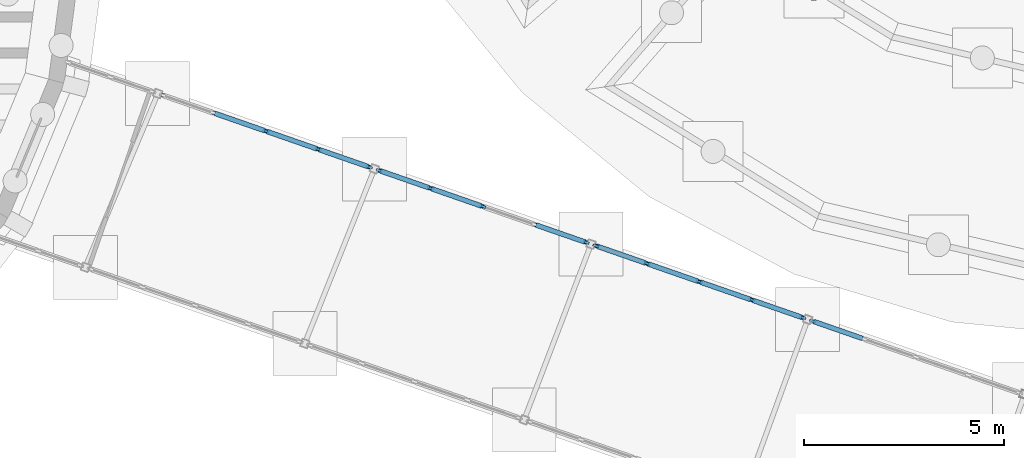
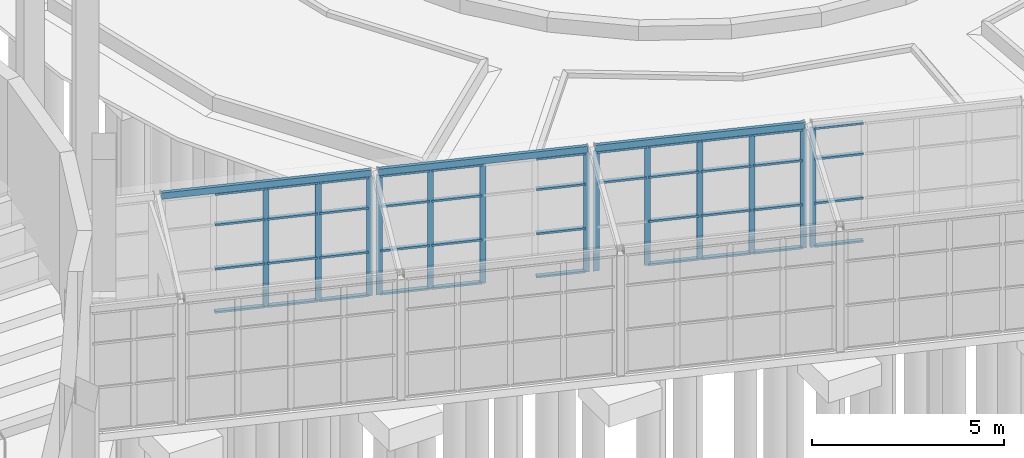
# One storey, part 48 of 226: 55 members, 3 beams, 4 elements without a shape of their own.
"""IFC4 building model written with IfcOpenShell, lengths in metres."""

from ifc_helpers import new_model, si_unit, direction, frame, origin, origin_2d, place, context, subcontext, project, spatial, rectangle, hollow_rectangle, extrude, material, material_profile, profile_set, type_object, element, aggregate, save


model = new_model("IFC4")

# Units and contexts
model_context = context("Model", 3, precision=1e-05, world=origin(), true_north=direction((0.0, 1.0)))
body_context = subcontext(model_context, "Body", "Model", "MODEL_VIEW")
ifc_project = project(units=[si_unit("LENGTHUNIT", "METRE"), si_unit("AREAUNIT", "SQUARE_METRE"), si_unit("VOLUMEUNIT", "CUBIC_METRE"), si_unit("PLANEANGLEUNIT", "RADIAN"), si_unit("MASSUNIT", "GRAM", prefix="KILO")], contexts=[model_context])

# Site, building, storey
site_placement = place(None, origin())
site = spatial("IfcSite", under=ifc_project, at=site_placement, CompositionType="ELEMENT")
building_placement = place(site_placement, origin())
building = spatial("IfcBuilding", under=site, at=building_placement, Name="Ceibo Conservatory and Research Tower", CompositionType="ELEMENT")
storey_placement = place(building_placement, origin())
storey = spatial("IfcBuildingStorey", under=building, at=storey_placement, Name="L00", CompositionType="ELEMENT", Elevation=0.0)

# Curtain wall, members
ifc_material_1 = material(Name="Aluminium and glass", Category="aluminium")
curtain_wall_type = type_object("IfcCurtainWallType", Name="Gallery curtain wall", PredefinedType="NOTDEFINED", material=ifc_material_1)
curtain_wall_1_placement = place(storey_placement, origin())
curtain_wall_1 = element("IfcCurtainWall", 1, at=curtain_wall_1_placement, inside=storey, type_object=curtain_wall_type, Name="Gallery curtain wall AUD-VC-CWN02", PredefinedType="NOTDEFINED")
ifc_material_2 = material(Name="Aluminium", Category="aluminium")
ifc_material_profile_1 = material_profile(ifc_material_2, rectangle(XDim=0.06005859375, YDim=0.159912109375, at=origin_2d()), Name="AL 60x160")
ifc_profile_set_1 = profile_set([ifc_material_profile_1], Name="Aluminium")
member_type_1 = type_object("IfcMemberType", Name="Gallery mullion 60x160", PredefinedType="MULLION", material=ifc_profile_set_1)
member_1_placement = place(storey_placement, frame((74.75048828125, 67.178955078125, 0.0), z_axis=(0.0, 0.0, 1.0), x_axis=(0.328283515513, 0.944579236191, 0.0)))
member_1 = element("IfcMember", 2, at=member_1_placement, type_object=member_type_1, Name="AUD-VC-CWN02 mullion 3", PredefinedType="MULLION", context=body_context, shape_type="SweptSolid", body=[
    extrude(rectangle(XDim=0.06005859375, YDim=0.159912109375, at=origin_2d()), origin(), (0.0, 0.0, 1.0), 3.800048828125),
])
member_2_placement = place(storey_placement, frame((76.058349609375, 66.724365234375, 0.0), z_axis=(0.0, 0.0, 1.0), x_axis=(0.328283515513, 0.944579236191, 0.0)))
member_2 = element("IfcMember", 3, at=member_2_placement, type_object=member_type_1, Name="AUD-VC-CWN02 mullion 4", PredefinedType="MULLION", context=body_context, shape_type="SweptSolid", body=[
    extrude(rectangle(XDim=0.06005859375, YDim=0.159912109375, at=origin_2d()), origin(), (0.0, 0.0, 1.0), 3.800048828125),
])
member_3_placement = place(storey_placement, frame((77.337890625, 66.279541015625, 0.0), z_axis=(0.0, 0.0, 1.0), x_axis=(0.328283515513, 0.944579236191, 0.0)))
member_3 = element("IfcMember", 4, at=member_3_placement, type_object=member_type_1, Name="AUD-VC-CWN02 mullion 5", PredefinedType="MULLION", context=body_context, shape_type="SweptSolid", body=[
    extrude(rectangle(XDim=0.06005859375, YDim=0.159912109375, at=origin_2d()), origin(), (0.0, 0.0, 1.0), 3.800048828125),
])

curtain_wall_2_placement = place(storey_placement, origin())
curtain_wall_2 = element("IfcCurtainWall", 5, at=curtain_wall_2_placement, inside=storey, type_object=curtain_wall_type, Name="Gallery curtain wall AUD-VC-CWN03", PredefinedType="NOTDEFINED")
member_4_placement = place(storey_placement, frame((77.58349609375, 66.1943359375, 0.0), z_axis=(0.0, 0.0, 1.0), x_axis=(0.328283515513, 0.944579236191, 0.0)))
member_4 = element("IfcMember", 6, at=member_4_placement, type_object=member_type_1, Name="AUD-VC-CWN03 mullion 1", PredefinedType="MULLION", context=body_context, shape_type="SweptSolid", body=[
    extrude(rectangle(XDim=0.06005859375, YDim=0.159912109375, at=origin_2d()), origin(), (0.0, 0.0, 1.0), 3.800048828125),
])
member_5_placement = place(storey_placement, frame((78.863037109375, 65.74951171875, 0.0), z_axis=(0.0, 0.0, 1.0), x_axis=(0.328283515513, 0.944579236191, 0.0)))
member_5 = element("IfcMember", 7, at=member_5_placement, type_object=member_type_1, Name="AUD-VC-CWN03 mullion 2", PredefinedType="MULLION", context=body_context, shape_type="SweptSolid", body=[
    extrude(rectangle(XDim=0.06005859375, YDim=0.159912109375, at=origin_2d()), origin(), (0.0, 0.0, 1.0), 3.800048828125),
])
member_6_placement = place(storey_placement, frame((80.1708984375, 65.294921875, 0.0), z_axis=(0.0, 0.0, 1.0), x_axis=(0.328283515513, 0.944579236191, 0.0)))
member_6 = element("IfcMember", 8, at=member_6_placement, type_object=member_type_1, Name="AUD-VC-CWN03 mullion 3", PredefinedType="MULLION", context=body_context, shape_type="SweptSolid", body=[
    extrude(rectangle(XDim=0.06005859375, YDim=0.159912109375, at=origin_2d()), origin(), (0.0, 0.0, 1.0), 3.800048828125),
])
member_7_placement = place(storey_placement, frame((82.758544921875, 64.395751953125, 0.0), z_axis=(0.0, 0.0, 1.0), x_axis=(0.328283515513, 0.944579236191, 0.0)))
member_7 = element("IfcMember", 9, at=member_7_placement, type_object=member_type_1, Name="AUD-VC-CWN03 mullion 5", PredefinedType="MULLION", context=body_context, shape_type="SweptSolid", body=[
    extrude(rectangle(XDim=0.06005859375, YDim=0.159912109375, at=origin_2d()), origin(), (0.0, 0.0, 1.0), 3.800048828125),
])

curtain_wall_3_placement = place(storey_placement, origin())
curtain_wall_3 = element("IfcCurtainWall", 10, at=curtain_wall_3_placement, inside=storey, type_object=curtain_wall_type, Name="Gallery curtain wall AUD-VC-CWN04", PredefinedType="NOTDEFINED")
member_8_placement = place(storey_placement, frame((83.004150390625, 64.310302734375, 0.0), z_axis=(0.0, 0.0, 1.0), x_axis=(0.328283515513, 0.944579236191, 0.0)))
member_8 = element("IfcMember", 11, at=member_8_placement, type_object=member_type_1, Name="AUD-VC-CWN04 mullion 1", PredefinedType="MULLION", context=body_context, shape_type="SweptSolid", body=[
    extrude(rectangle(XDim=0.06005859375, YDim=0.159912109375, at=origin_2d()), origin(), (0.0, 0.0, 1.0), 3.800048828125),
])
member_9_placement = place(storey_placement, frame((84.28369140625, 63.86572265625, 0.0), z_axis=(0.0, 0.0, 1.0), x_axis=(0.328283515513, 0.944579236191, 0.0)))
member_9 = element("IfcMember", 12, at=member_9_placement, type_object=member_type_1, Name="AUD-VC-CWN04 mullion 2", PredefinedType="MULLION", context=body_context, shape_type="SweptSolid", body=[
    extrude(rectangle(XDim=0.06005859375, YDim=0.159912109375, at=origin_2d()), origin(), (0.0, 0.0, 1.0), 3.800048828125),
])
member_10_placement = place(storey_placement, frame((85.591552734375, 63.4111328125, 0.0), z_axis=(0.0, 0.0, 1.0), x_axis=(0.328283515513, 0.944579236191, 0.0)))
member_10 = element("IfcMember", 13, at=member_10_placement, type_object=member_type_1, Name="AUD-VC-CWN04 mullion 3", PredefinedType="MULLION", context=body_context, shape_type="SweptSolid", body=[
    extrude(rectangle(XDim=0.06005859375, YDim=0.159912109375, at=origin_2d()), origin(), (0.0, 0.0, 1.0), 3.800048828125),
])
member_11_placement = place(storey_placement, frame((86.8994140625, 62.95654296875, 0.0), z_axis=(0.0, 0.0, 1.0), x_axis=(0.328283515513, 0.944579236191, 0.0)))
member_11 = element("IfcMember", 14, at=member_11_placement, type_object=member_type_1, Name="AUD-VC-CWN04 mullion 4", PredefinedType="MULLION", context=body_context, shape_type="SweptSolid", body=[
    extrude(rectangle(XDim=0.06005859375, YDim=0.159912109375, at=origin_2d()), origin(), (0.0, 0.0, 1.0), 3.800048828125),
])
member_12_placement = place(storey_placement, frame((88.17919921875, 62.511962890625, 0.0), z_axis=(0.0, 0.0, 1.0), x_axis=(0.328283515513, 0.944579236191, 0.0)))
member_12 = element("IfcMember", 15, at=member_12_placement, type_object=member_type_1, Name="AUD-VC-CWN04 mullion 5", PredefinedType="MULLION", context=body_context, shape_type="SweptSolid", body=[
    extrude(rectangle(XDim=0.06005859375, YDim=0.159912109375, at=origin_2d()), origin(), (0.0, 0.0, 1.0), 3.800048828125),
])

# Curtain wall, member
curtain_wall_4_placement = place(storey_placement, origin())
curtain_wall_4 = element("IfcCurtainWall", 16, at=curtain_wall_4_placement, inside=storey, type_object=curtain_wall_type, Name="Gallery curtain wall AUD-VC-CWN05", PredefinedType="NOTDEFINED")
member_13_placement = place(storey_placement, frame((88.4248046875, 62.426513671875, 0.0), z_axis=(0.0, 0.0, 1.0), x_axis=(0.328283515513, 0.944579236191, 0.0)))
member_13 = element("IfcMember", 17, at=member_13_placement, type_object=member_type_1, Name="AUD-VC-CWN05 mullion 1", PredefinedType="MULLION", context=body_context, shape_type="SweptSolid", body=[
    extrude(rectangle(XDim=0.06005859375, YDim=0.159912109375, at=origin_2d()), origin(), (0.0, 0.0, 1.0), 3.800048828125),
])

# Member
ifc_material_profile_2 = material_profile(ifc_material_2, rectangle(XDim=0.1201171875, YDim=0.06005859375, at=origin_2d()), Name="AL 60x120")
ifc_profile_set_2 = profile_set([ifc_material_profile_2], Name="Aluminium")
member_type_2 = type_object("IfcMemberType", Name="Gallery transom 60x120", PredefinedType="USERDEFINED", material=ifc_profile_set_2)
member_14_placement = place(storey_placement, frame((73.470703125, 67.62353515625, 0.030029296875), z_axis=(0.944608613867, -0.328198974112, 0.0), x_axis=(0.328198974112, 0.944608613867, 0.0)))
member_14 = element("IfcMember", 18, at=member_14_placement, type_object=member_type_2, Name="AUD-VC-CWN02 transom 2.1", ObjectType="TRANSOM", PredefinedType="USERDEFINED", context=body_context, shape_type="SweptSolid", body=[
    extrude(rectangle(XDim=0.1201171875, YDim=0.06005859375, at=origin_2d()), origin(), (0.0, 0.0, 1.0), 1.324951171875),
])

member_15_placement = place(storey_placement, frame((73.470703125, 67.62353515625, 1.39990234375), z_axis=(0.944608613867, -0.328198974112, 0.0), x_axis=(0.328198974112, 0.944608613867, 0.0)))
member_15 = element("IfcMember", 19, at=member_15_placement, type_object=member_type_2, Name="AUD-VC-CWN02 transom 2.2", ObjectType="TRANSOM", PredefinedType="USERDEFINED", context=body_context, shape_type="SweptSolid", body=[
    extrude(rectangle(XDim=0.1201171875, YDim=0.06005859375, at=origin_2d()), origin(), (0.0, 0.0, 1.0), 1.324951171875),
])

member_16_placement = place(storey_placement, frame((73.470703125, 67.62353515625, 2.800048828125), z_axis=(0.944608613867, -0.328198974112, 0.0), x_axis=(0.328198974112, 0.944608613867, 0.0)))
member_16 = element("IfcMember", 20, at=member_16_placement, type_object=member_type_2, Name="AUD-VC-CWN02 transom 2.3", ObjectType="TRANSOM", PredefinedType="USERDEFINED", context=body_context, shape_type="SweptSolid", body=[
    extrude(rectangle(XDim=0.1201171875, YDim=0.06005859375, at=origin_2d()), origin(), (0.0, 0.0, 1.0), 1.324951171875),
])

member_17_placement = place(storey_placement, frame((73.470703125, 67.62353515625, 3.77001953125), z_axis=(0.944608613867, -0.328198974112, 0.0), x_axis=(0.328198974112, 0.944608613867, 0.0)))
member_17 = element("IfcMember", 21, at=member_17_placement, type_object=member_type_2, Name="AUD-VC-CWN02 transom 2.4", ObjectType="TRANSOM", PredefinedType="USERDEFINED", context=body_context, shape_type="SweptSolid", body=[
    extrude(rectangle(XDim=0.1201171875, YDim=0.06005859375, at=origin_2d()), origin(), (0.0, 0.0, 1.0), 1.324951171875),
])

member_18_placement = place(storey_placement, frame((74.77880859375, 67.169189453125, 0.030029296875), z_axis=(0.944531599956, -0.328420548512, 0.0), x_axis=(0.328420548512, 0.944531599956, 0.0)))
member_18 = element("IfcMember", 22, at=member_18_placement, type_object=member_type_2, Name="AUD-VC-CWN02 transom 3.1", ObjectType="TRANSOM", PredefinedType="USERDEFINED", context=body_context, shape_type="SweptSolid", body=[
    extrude(rectangle(XDim=0.1201171875, YDim=0.06005859375, at=origin_2d()), origin(), (0.0, 0.0, 1.0), 1.32470703125),
])

member_19_placement = place(storey_placement, frame((74.77880859375, 67.169189453125, 1.39990234375), z_axis=(0.944531599956, -0.328420548512, 0.0), x_axis=(0.328420548512, 0.944531599956, 0.0)))
member_19 = element("IfcMember", 23, at=member_19_placement, type_object=member_type_2, Name="AUD-VC-CWN02 transom 3.2", ObjectType="TRANSOM", PredefinedType="USERDEFINED", context=body_context, shape_type="SweptSolid", body=[
    extrude(rectangle(XDim=0.1201171875, YDim=0.06005859375, at=origin_2d()), origin(), (0.0, 0.0, 1.0), 1.32470703125),
])

member_20_placement = place(storey_placement, frame((74.77880859375, 67.169189453125, 2.800048828125), z_axis=(0.944531599956, -0.328420548512, 0.0), x_axis=(0.328420548512, 0.944531599956, 0.0)))
member_20 = element("IfcMember", 24, at=member_20_placement, type_object=member_type_2, Name="AUD-VC-CWN02 transom 3.3", ObjectType="TRANSOM", PredefinedType="USERDEFINED", context=body_context, shape_type="SweptSolid", body=[
    extrude(rectangle(XDim=0.1201171875, YDim=0.06005859375, at=origin_2d()), origin(), (0.0, 0.0, 1.0), 1.32470703125),
])

member_21_placement = place(storey_placement, frame((74.77880859375, 67.169189453125, 3.77001953125), z_axis=(0.944531599956, -0.328420548512, 0.0), x_axis=(0.328420548512, 0.944531599956, 0.0)))
member_21 = element("IfcMember", 25, at=member_21_placement, type_object=member_type_2, Name="AUD-VC-CWN02 transom 3.4", ObjectType="TRANSOM", PredefinedType="USERDEFINED", context=body_context, shape_type="SweptSolid", body=[
    extrude(rectangle(XDim=0.1201171875, YDim=0.06005859375, at=origin_2d()), origin(), (0.0, 0.0, 1.0), 1.32470703125),
])

member_22_placement = place(storey_placement, frame((76.086669921875, 66.714599609375, 0.030029296875), z_axis=(0.944570549154, -0.328308509898, 0.0), x_axis=(0.328308509898, 0.944570549154, 0.0)))
member_22 = element("IfcMember", 26, at=member_22_placement, type_object=member_type_2, Name="AUD-VC-CWN02 transom 4.1", ObjectType="TRANSOM", PredefinedType="USERDEFINED", context=body_context, shape_type="SweptSolid", body=[
    extrude(rectangle(XDim=0.1201171875, YDim=0.06005859375, at=origin_2d()), origin(), (0.0, 0.0, 1.0), 1.294677734375),
])

member_23_placement = place(storey_placement, frame((76.086669921875, 66.714599609375, 1.39990234375), z_axis=(0.944570549154, -0.328308509898, 0.0), x_axis=(0.328308509898, 0.944570549154, 0.0)))
member_23 = element("IfcMember", 27, at=member_23_placement, type_object=member_type_2, Name="AUD-VC-CWN02 transom 4.2", ObjectType="TRANSOM", PredefinedType="USERDEFINED", context=body_context, shape_type="SweptSolid", body=[
    extrude(rectangle(XDim=0.1201171875, YDim=0.06005859375, at=origin_2d()), origin(), (0.0, 0.0, 1.0), 1.294677734375),
])

member_24_placement = place(storey_placement, frame((76.086669921875, 66.714599609375, 2.800048828125), z_axis=(0.944570549154, -0.328308509898, 0.0), x_axis=(0.328308509898, 0.944570549154, 0.0)))
member_24 = element("IfcMember", 28, at=member_24_placement, type_object=member_type_2, Name="AUD-VC-CWN02 transom 4.3", ObjectType="TRANSOM", PredefinedType="USERDEFINED", context=body_context, shape_type="SweptSolid", body=[
    extrude(rectangle(XDim=0.1201171875, YDim=0.06005859375, at=origin_2d()), origin(), (0.0, 0.0, 1.0), 1.294677734375),
])

member_25_placement = place(storey_placement, frame((76.086669921875, 66.714599609375, 3.77001953125), z_axis=(0.944570549154, -0.328308509898, 0.0), x_axis=(0.328308509898, 0.944570549154, 0.0)))
member_25 = element("IfcMember", 29, at=member_25_placement, type_object=member_type_2, Name="AUD-VC-CWN02 transom 4.4", ObjectType="TRANSOM", PredefinedType="USERDEFINED", context=body_context, shape_type="SweptSolid", body=[
    extrude(rectangle(XDim=0.1201171875, YDim=0.06005859375, at=origin_2d()), origin(), (0.0, 0.0, 1.0), 1.294677734375),
])

aggregate(curtain_wall_1, [member_1, member_2, member_3, member_14, member_15, member_16, member_17, member_18, member_19, member_20, member_21, member_22, member_23, member_24, member_25])

member_26_placement = place(storey_placement, frame((77.61181640625, 66.1845703125, 0.030029296875), z_axis=(0.944570549154, -0.328308509898, 0.0), x_axis=(0.328308509898, 0.944570549154, 0.0)))
member_26 = element("IfcMember", 30, at=member_26_placement, type_object=member_type_2, Name="AUD-VC-CWN03 transom 1.1", ObjectType="TRANSOM", PredefinedType="USERDEFINED", context=body_context, shape_type="SweptSolid", body=[
    extrude(rectangle(XDim=0.1201171875, YDim=0.06005859375, at=origin_2d()), origin(), (0.0, 0.0, 1.0), 1.294677734375),
])

member_27_placement = place(storey_placement, frame((77.61181640625, 66.1845703125, 1.39990234375), z_axis=(0.944570549154, -0.328308509898, 0.0), x_axis=(0.328308509898, 0.944570549154, 0.0)))
member_27 = element("IfcMember", 31, at=member_27_placement, type_object=member_type_2, Name="AUD-VC-CWN03 transom 1.2", ObjectType="TRANSOM", PredefinedType="USERDEFINED", context=body_context, shape_type="SweptSolid", body=[
    extrude(rectangle(XDim=0.1201171875, YDim=0.06005859375, at=origin_2d()), origin(), (0.0, 0.0, 1.0), 1.294677734375),
])

member_28_placement = place(storey_placement, frame((77.61181640625, 66.1845703125, 2.800048828125), z_axis=(0.944570549154, -0.328308509898, 0.0), x_axis=(0.328308509898, 0.944570549154, 0.0)))
member_28 = element("IfcMember", 32, at=member_28_placement, type_object=member_type_2, Name="AUD-VC-CWN03 transom 1.3", ObjectType="TRANSOM", PredefinedType="USERDEFINED", context=body_context, shape_type="SweptSolid", body=[
    extrude(rectangle(XDim=0.1201171875, YDim=0.06005859375, at=origin_2d()), origin(), (0.0, 0.0, 1.0), 1.294677734375),
])

member_29_placement = place(storey_placement, frame((77.61181640625, 66.1845703125, 3.77001953125), z_axis=(0.944570549154, -0.328308509898, 0.0), x_axis=(0.328308509898, 0.944570549154, 0.0)))
member_29 = element("IfcMember", 33, at=member_29_placement, type_object=member_type_2, Name="AUD-VC-CWN03 transom 1.4", ObjectType="TRANSOM", PredefinedType="USERDEFINED", context=body_context, shape_type="SweptSolid", body=[
    extrude(rectangle(XDim=0.1201171875, YDim=0.06005859375, at=origin_2d()), origin(), (0.0, 0.0, 1.0), 1.294677734375),
])

member_30_placement = place(storey_placement, frame((78.891357421875, 65.73974609375, 0.030029296875), z_axis=(0.944588759267, -0.32825611322, 0.0), x_axis=(0.32825611322, 0.944588759267, 0.0)))
member_30 = element("IfcMember", 34, at=member_30_placement, type_object=member_type_2, Name="AUD-VC-CWN03 transom 2.1", ObjectType="TRANSOM", PredefinedType="USERDEFINED", context=body_context, shape_type="SweptSolid", body=[
    extrude(rectangle(XDim=0.1201171875, YDim=0.06005859375, at=origin_2d()), origin(), (0.0, 0.0, 1.0), 1.32470703125),
])

member_31_placement = place(storey_placement, frame((78.891357421875, 65.73974609375, 1.39990234375), z_axis=(0.944588759267, -0.32825611322, 0.0), x_axis=(0.32825611322, 0.944588759267, 0.0)))
member_31 = element("IfcMember", 35, at=member_31_placement, type_object=member_type_2, Name="AUD-VC-CWN03 transom 2.2", ObjectType="TRANSOM", PredefinedType="USERDEFINED", context=body_context, shape_type="SweptSolid", body=[
    extrude(rectangle(XDim=0.1201171875, YDim=0.06005859375, at=origin_2d()), origin(), (0.0, 0.0, 1.0), 1.32470703125),
])

member_32_placement = place(storey_placement, frame((78.891357421875, 65.73974609375, 2.800048828125), z_axis=(0.944588759267, -0.32825611322, 0.0), x_axis=(0.32825611322, 0.944588759267, 0.0)))
member_32 = element("IfcMember", 36, at=member_32_placement, type_object=member_type_2, Name="AUD-VC-CWN03 transom 2.3", ObjectType="TRANSOM", PredefinedType="USERDEFINED", context=body_context, shape_type="SweptSolid", body=[
    extrude(rectangle(XDim=0.1201171875, YDim=0.06005859375, at=origin_2d()), origin(), (0.0, 0.0, 1.0), 1.32470703125),
])

member_33_placement = place(storey_placement, frame((78.891357421875, 65.73974609375, 3.77001953125), z_axis=(0.944588759267, -0.32825611322, 0.0), x_axis=(0.32825611322, 0.944588759267, 0.0)))
member_33 = element("IfcMember", 37, at=member_33_placement, type_object=member_type_2, Name="AUD-VC-CWN03 transom 2.4", ObjectType="TRANSOM", PredefinedType="USERDEFINED", context=body_context, shape_type="SweptSolid", body=[
    extrude(rectangle(XDim=0.1201171875, YDim=0.06005859375, at=origin_2d()), origin(), (0.0, 0.0, 1.0), 1.32470703125),
])

member_34_placement = place(storey_placement, frame((81.50732421875, 64.83056640625, 0.030029296875), z_axis=(0.944570549154, -0.328308509898, 0.0), x_axis=(0.328308509898, 0.944570549154, 0.0)))
member_34 = element("IfcMember", 38, at=member_34_placement, type_object=member_type_2, Name="AUD-VC-CWN03 transom 4.1", ObjectType="TRANSOM", PredefinedType="USERDEFINED", context=body_context, shape_type="SweptSolid", body=[
    extrude(rectangle(XDim=0.1201171875, YDim=0.06005859375, at=origin_2d()), origin(), (0.0, 0.0, 1.0), 1.294677734375),
])

member_35_placement = place(storey_placement, frame((81.50732421875, 64.83056640625, 1.39990234375), z_axis=(0.944570549154, -0.328308509898, 0.0), x_axis=(0.328308509898, 0.944570549154, 0.0)))
member_35 = element("IfcMember", 39, at=member_35_placement, type_object=member_type_2, Name="AUD-VC-CWN03 transom 4.2", ObjectType="TRANSOM", PredefinedType="USERDEFINED", context=body_context, shape_type="SweptSolid", body=[
    extrude(rectangle(XDim=0.1201171875, YDim=0.06005859375, at=origin_2d()), origin(), (0.0, 0.0, 1.0), 1.294677734375),
])

member_36_placement = place(storey_placement, frame((81.50732421875, 64.83056640625, 2.800048828125), z_axis=(0.944570549154, -0.328308509898, 0.0), x_axis=(0.328308509898, 0.944570549154, 0.0)))
member_36 = element("IfcMember", 40, at=member_36_placement, type_object=member_type_2, Name="AUD-VC-CWN03 transom 4.3", ObjectType="TRANSOM", PredefinedType="USERDEFINED", context=body_context, shape_type="SweptSolid", body=[
    extrude(rectangle(XDim=0.1201171875, YDim=0.06005859375, at=origin_2d()), origin(), (0.0, 0.0, 1.0), 1.294677734375),
])

member_37_placement = place(storey_placement, frame((81.50732421875, 64.83056640625, 3.77001953125), z_axis=(0.944570549154, -0.328308509898, 0.0), x_axis=(0.328308509898, 0.944570549154, 0.0)))
member_37 = element("IfcMember", 41, at=member_37_placement, type_object=member_type_2, Name="AUD-VC-CWN03 transom 4.4", ObjectType="TRANSOM", PredefinedType="USERDEFINED", context=body_context, shape_type="SweptSolid", body=[
    extrude(rectangle(XDim=0.1201171875, YDim=0.06005859375, at=origin_2d()), origin(), (0.0, 0.0, 1.0), 1.294677734375),
])

aggregate(curtain_wall_2, [member_4, member_5, member_6, member_7, member_26, member_27, member_28, member_29, member_30, member_31, member_32, member_33, member_34, member_35, member_36, member_37])

member_38_placement = place(storey_placement, frame((83.032470703125, 64.300537109375, 2.800048828125), z_axis=(0.944570549154, -0.328308509898, 0.0), x_axis=(0.328308509898, 0.944570549154, 0.0)))
member_38 = element("IfcMember", 42, at=member_38_placement, type_object=member_type_2, Name="AUD-VC-CWN04 transom 1.3", ObjectType="TRANSOM", PredefinedType="USERDEFINED", context=body_context, shape_type="SweptSolid", body=[
    extrude(rectangle(XDim=0.1201171875, YDim=0.06005859375, at=origin_2d()), origin(), (0.0, 0.0, 1.0), 1.294677734375),
])

member_39_placement = place(storey_placement, frame((83.032470703125, 64.300537109375, 3.77001953125), z_axis=(0.944570549154, -0.328308509898, 0.0), x_axis=(0.328308509898, 0.944570549154, 0.0)))
member_39 = element("IfcMember", 43, at=member_39_placement, type_object=member_type_2, Name="AUD-VC-CWN04 transom 1.4", ObjectType="TRANSOM", PredefinedType="USERDEFINED", context=body_context, shape_type="SweptSolid", body=[
    extrude(rectangle(XDim=0.1201171875, YDim=0.06005859375, at=origin_2d()), origin(), (0.0, 0.0, 1.0), 1.294677734375),
])

member_40_placement = place(storey_placement, frame((84.31201171875, 63.85595703125, 0.030029296875), z_axis=(0.944531599956, -0.328420548512, 0.0), x_axis=(0.328420548512, 0.944531599956, 0.0)))
member_40 = element("IfcMember", 44, at=member_40_placement, type_object=member_type_2, Name="AUD-VC-CWN04 transom 2.1", ObjectType="TRANSOM", PredefinedType="USERDEFINED", context=body_context, shape_type="SweptSolid", body=[
    extrude(rectangle(XDim=0.1201171875, YDim=0.06005859375, at=origin_2d()), origin(), (0.0, 0.0, 1.0), 1.32470703125),
])

member_41_placement = place(storey_placement, frame((84.31201171875, 63.85595703125, 1.39990234375), z_axis=(0.944531599956, -0.328420548512, 0.0), x_axis=(0.328420548512, 0.944531599956, 0.0)))
member_41 = element("IfcMember", 45, at=member_41_placement, type_object=member_type_2, Name="AUD-VC-CWN04 transom 2.2", ObjectType="TRANSOM", PredefinedType="USERDEFINED", context=body_context, shape_type="SweptSolid", body=[
    extrude(rectangle(XDim=0.1201171875, YDim=0.06005859375, at=origin_2d()), origin(), (0.0, 0.0, 1.0), 1.32470703125),
])

member_42_placement = place(storey_placement, frame((84.31201171875, 63.85595703125, 2.800048828125), z_axis=(0.944531599956, -0.328420548512, 0.0), x_axis=(0.328420548512, 0.944531599956, 0.0)))
member_42 = element("IfcMember", 46, at=member_42_placement, type_object=member_type_2, Name="AUD-VC-CWN04 transom 2.3", ObjectType="TRANSOM", PredefinedType="USERDEFINED", context=body_context, shape_type="SweptSolid", body=[
    extrude(rectangle(XDim=0.1201171875, YDim=0.06005859375, at=origin_2d()), origin(), (0.0, 0.0, 1.0), 1.32470703125),
])

member_43_placement = place(storey_placement, frame((84.31201171875, 63.85595703125, 3.77001953125), z_axis=(0.944531599956, -0.328420548512, 0.0), x_axis=(0.328420548512, 0.944531599956, 0.0)))
member_43 = element("IfcMember", 47, at=member_43_placement, type_object=member_type_2, Name="AUD-VC-CWN04 transom 2.4", ObjectType="TRANSOM", PredefinedType="USERDEFINED", context=body_context, shape_type="SweptSolid", body=[
    extrude(rectangle(XDim=0.1201171875, YDim=0.06005859375, at=origin_2d()), origin(), (0.0, 0.0, 1.0), 1.32470703125),
])

member_44_placement = place(storey_placement, frame((85.619873046875, 63.4013671875, 0.030029296875), z_axis=(0.944531599956, -0.328420548512, 0.0), x_axis=(0.328420548512, 0.944531599956, 0.0)))
member_44 = element("IfcMember", 48, at=member_44_placement, type_object=member_type_2, Name="AUD-VC-CWN04 transom 3.1", ObjectType="TRANSOM", PredefinedType="USERDEFINED", context=body_context, shape_type="SweptSolid", body=[
    extrude(rectangle(XDim=0.1201171875, YDim=0.06005859375, at=origin_2d()), origin(), (0.0, 0.0, 1.0), 1.32470703125),
])

member_45_placement = place(storey_placement, frame((85.619873046875, 63.4013671875, 1.39990234375), z_axis=(0.944531599956, -0.328420548512, 0.0), x_axis=(0.328420548512, 0.944531599956, 0.0)))
member_45 = element("IfcMember", 49, at=member_45_placement, type_object=member_type_2, Name="AUD-VC-CWN04 transom 3.2", ObjectType="TRANSOM", PredefinedType="USERDEFINED", context=body_context, shape_type="SweptSolid", body=[
    extrude(rectangle(XDim=0.1201171875, YDim=0.06005859375, at=origin_2d()), origin(), (0.0, 0.0, 1.0), 1.32470703125),
])

member_46_placement = place(storey_placement, frame((85.619873046875, 63.4013671875, 2.800048828125), z_axis=(0.944531599956, -0.328420548512, 0.0), x_axis=(0.328420548512, 0.944531599956, 0.0)))
member_46 = element("IfcMember", 50, at=member_46_placement, type_object=member_type_2, Name="AUD-VC-CWN04 transom 3.3", ObjectType="TRANSOM", PredefinedType="USERDEFINED", context=body_context, shape_type="SweptSolid", body=[
    extrude(rectangle(XDim=0.1201171875, YDim=0.06005859375, at=origin_2d()), origin(), (0.0, 0.0, 1.0), 1.32470703125),
])

member_47_placement = place(storey_placement, frame((85.619873046875, 63.4013671875, 3.77001953125), z_axis=(0.944531599956, -0.328420548512, 0.0), x_axis=(0.328420548512, 0.944531599956, 0.0)))
member_47 = element("IfcMember", 51, at=member_47_placement, type_object=member_type_2, Name="AUD-VC-CWN04 transom 3.4", ObjectType="TRANSOM", PredefinedType="USERDEFINED", context=body_context, shape_type="SweptSolid", body=[
    extrude(rectangle(XDim=0.1201171875, YDim=0.06005859375, at=origin_2d()), origin(), (0.0, 0.0, 1.0), 1.32470703125),
])

member_48_placement = place(storey_placement, frame((86.927734375, 62.94677734375, 0.030029296875), z_axis=(0.944590869524, -0.328250040687, 0.0), x_axis=(0.328250040687, 0.944590869524, 0.0)))
member_48 = element("IfcMember", 52, at=member_48_placement, type_object=member_type_2, Name="AUD-VC-CWN04 transom 4.1", ObjectType="TRANSOM", PredefinedType="USERDEFINED", context=body_context, shape_type="SweptSolid", body=[
    extrude(rectangle(XDim=0.1201171875, YDim=0.06005859375, at=origin_2d()), origin(), (0.0, 0.0, 1.0), 1.294921875),
])

member_49_placement = place(storey_placement, frame((86.927734375, 62.94677734375, 1.39990234375), z_axis=(0.944590869524, -0.328250040687, 0.0), x_axis=(0.328250040687, 0.944590869524, 0.0)))
member_49 = element("IfcMember", 53, at=member_49_placement, type_object=member_type_2, Name="AUD-VC-CWN04 transom 4.2", ObjectType="TRANSOM", PredefinedType="USERDEFINED", context=body_context, shape_type="SweptSolid", body=[
    extrude(rectangle(XDim=0.1201171875, YDim=0.06005859375, at=origin_2d()), origin(), (0.0, 0.0, 1.0), 1.294921875),
])

member_50_placement = place(storey_placement, frame((86.927734375, 62.94677734375, 2.800048828125), z_axis=(0.944590869524, -0.328250040687, 0.0), x_axis=(0.328250040687, 0.944590869524, 0.0)))
member_50 = element("IfcMember", 54, at=member_50_placement, type_object=member_type_2, Name="AUD-VC-CWN04 transom 4.3", ObjectType="TRANSOM", PredefinedType="USERDEFINED", context=body_context, shape_type="SweptSolid", body=[
    extrude(rectangle(XDim=0.1201171875, YDim=0.06005859375, at=origin_2d()), origin(), (0.0, 0.0, 1.0), 1.294921875),
])

member_51_placement = place(storey_placement, frame((86.927734375, 62.94677734375, 3.77001953125), z_axis=(0.944590869524, -0.328250040687, 0.0), x_axis=(0.328250040687, 0.944590869524, 0.0)))
member_51 = element("IfcMember", 55, at=member_51_placement, type_object=member_type_2, Name="AUD-VC-CWN04 transom 4.4", ObjectType="TRANSOM", PredefinedType="USERDEFINED", context=body_context, shape_type="SweptSolid", body=[
    extrude(rectangle(XDim=0.1201171875, YDim=0.06005859375, at=origin_2d()), origin(), (0.0, 0.0, 1.0), 1.294921875),
])

aggregate(curtain_wall_3, [member_8, member_9, member_10, member_11, member_12, member_38, member_39, member_40, member_41, member_42, member_43, member_44, member_45, member_46, member_47, member_48, member_49, member_50, member_51])

member_52_placement = place(storey_placement, frame((88.453125, 62.416748046875, 0.030029296875), z_axis=(0.944570549154, -0.328308509898, 0.0), x_axis=(0.328308509898, 0.944570549154, 0.0)))
member_52 = element("IfcMember", 56, at=member_52_placement, type_object=member_type_2, Name="AUD-VC-CWN05 transom 1.1", ObjectType="TRANSOM", PredefinedType="USERDEFINED", context=body_context, shape_type="SweptSolid", body=[
    extrude(rectangle(XDim=0.1201171875, YDim=0.06005859375, at=origin_2d()), origin(), (0.0, 0.0, 1.0), 1.294677734375),
])

member_53_placement = place(storey_placement, frame((88.453125, 62.416748046875, 1.39990234375), z_axis=(0.944570549154, -0.328308509898, 0.0), x_axis=(0.328308509898, 0.944570549154, 0.0)))
member_53 = element("IfcMember", 57, at=member_53_placement, type_object=member_type_2, Name="AUD-VC-CWN05 transom 1.2", ObjectType="TRANSOM", PredefinedType="USERDEFINED", context=body_context, shape_type="SweptSolid", body=[
    extrude(rectangle(XDim=0.1201171875, YDim=0.06005859375, at=origin_2d()), origin(), (0.0, 0.0, 1.0), 1.294677734375),
])

member_54_placement = place(storey_placement, frame((88.453125, 62.416748046875, 2.800048828125), z_axis=(0.944570549154, -0.328308509898, 0.0), x_axis=(0.328308509898, 0.944570549154, 0.0)))
member_54 = element("IfcMember", 58, at=member_54_placement, type_object=member_type_2, Name="AUD-VC-CWN05 transom 1.3", ObjectType="TRANSOM", PredefinedType="USERDEFINED", context=body_context, shape_type="SweptSolid", body=[
    extrude(rectangle(XDim=0.1201171875, YDim=0.06005859375, at=origin_2d()), origin(), (0.0, 0.0, 1.0), 1.294677734375),
])

member_55_placement = place(storey_placement, frame((88.453125, 62.416748046875, 3.77001953125), z_axis=(0.944570549154, -0.328308509898, 0.0), x_axis=(0.328308509898, 0.944570549154, 0.0)))
member_55 = element("IfcMember", 59, at=member_55_placement, type_object=member_type_2, Name="AUD-VC-CWN05 transom 1.4", ObjectType="TRANSOM", PredefinedType="USERDEFINED", context=body_context, shape_type="SweptSolid", body=[
    extrude(rectangle(XDim=0.1201171875, YDim=0.06005859375, at=origin_2d()), origin(), (0.0, 0.0, 1.0), 1.294677734375),
])

aggregate(curtain_wall_4, [member_13, member_52, member_53, member_54, member_55])

# Beams
ifc_material_3 = material(Name="Steel S355J2H", Category="steel")
ifc_material_profile_3 = material_profile(ifc_material_3, hollow_rectangle(XDim=0.10009765625, YDim=0.199951171875, WallThickness=0.008056640625, at=origin_2d()), Name="RHS 200x100x8 edge beam")
ifc_profile_set_3 = profile_set([ifc_material_profile_3], Name="Steel S355J2H")
beam_type = type_object("IfcBeamType", Name="RHS 200x100x8 edge beam", PredefinedType="BEAM", material=ifc_profile_set_3)
for number, where, z_axis, x_axis, name in (
    (60, (72.1298828125, 68.089599609375, 3.89990234375), (0.944575719472, -0.328293634089, 0.0), (0.328293634089, 0.944575719472, 0.0), "Gallery edge beam AUD-VC-EBN02"),
    (61, (77.550537109375, 66.205810546875, 3.89990234375), (0.944575719472, -0.328293634089, 0.0), (0.328293634089, 0.944575719472, 0.0), "Gallery edge beam AUD-VC-EBN03"),
):
    element("IfcBeam", number, at=place(storey_placement, frame(where, z_axis=z_axis, x_axis=x_axis)), inside=storey, type_object=beam_type, Name=name, PredefinedType="BEAM", context=body_context, shape_type="SweptSolid", body=[
        extrude(hollow_rectangle(XDim=0.10009765625, YDim=0.199951171875, WallThickness=0.008056640625, at=origin_2d()), origin(), (0.0, 0.0, 1.0), 5.548583984375),
    ])
beam_placement = place(storey_placement, frame((82.970947265625, 64.32177734375, 3.89990234375), z_axis=(0.944580461491, -0.328279989901, 0.0), x_axis=(0.328279989901, 0.944580461491, 0.0)))
element("IfcBeam", 62, at=beam_placement, inside=storey, type_object=beam_type, Name="Gallery edge beam AUD-VC-EBN04", PredefinedType="BEAM", context=body_context, shape_type="SweptSolid", body=[
    extrude(hollow_rectangle(XDim=0.10009765625, YDim=0.199951171875, WallThickness=0.008056640625, at=origin_2d()), origin(), (0.0, 0.0, 1.0), 5.548828125),
])

save(model, "model.ifc")
